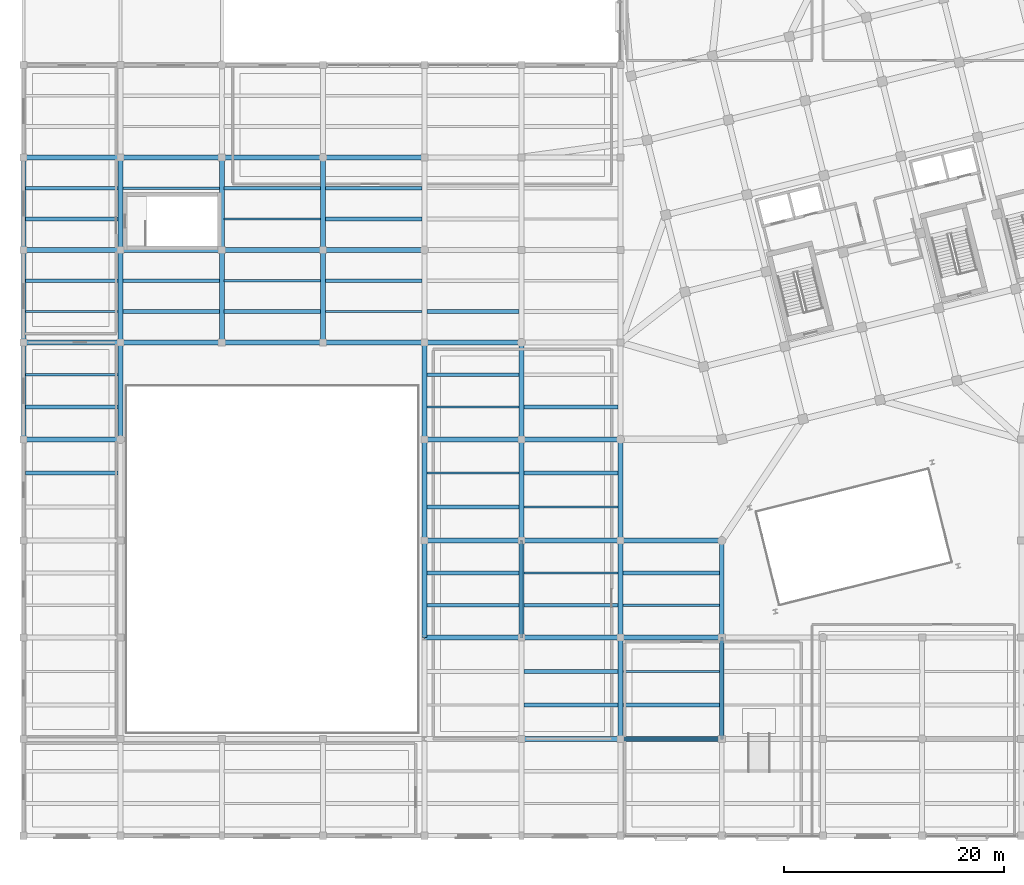
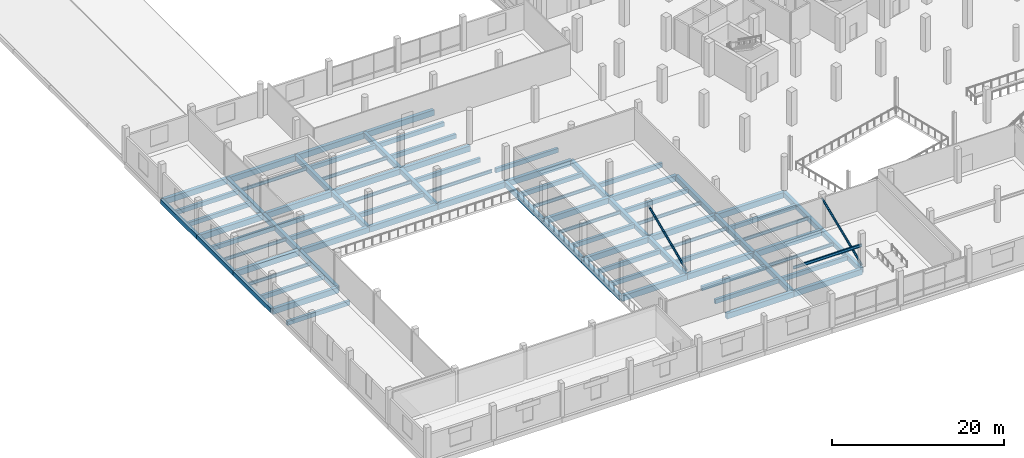
# One storey, part 12 of 71: 82 beams, 2 members.
"""IFC4 building model written with IfcOpenShell, lengths in metres."""

from ifc_helpers import new_model, si_unit, direction, frame, origin, origin_2d, place, context, subcontext, project, spatial, rectangle, hollow_circle, i_section, extrude, material, material_profile, profile_set, type_object, element, save


model = new_model("IFC4")

# Units and contexts
model_context = context("Model", 3, precision=1e-05, world=origin(), true_north=direction((0.0, 1.0)))
body_context = subcontext(model_context, "Body", "Model", "MODEL_VIEW")
ifc_project = project(units=[si_unit("LENGTHUNIT", "METRE"), si_unit("AREAUNIT", "SQUARE_METRE"), si_unit("VOLUMEUNIT", "CUBIC_METRE"), si_unit("PLANEANGLEUNIT", "RADIAN"), si_unit("MASSUNIT", "GRAM", prefix="KILO")], contexts=[model_context])

# Site, building, storey
site_placement = place(None, origin())
site = spatial("IfcSite", under=ifc_project, at=site_placement, CompositionType="ELEMENT")
building_placement = place(site_placement, origin())
building = spatial("IfcBuilding", under=site, at=building_placement, Name="Meriwether Solvik Hall", CompositionType="ELEMENT")
storey_placement = place(building_placement, frame((0.0, 0.0, 5.10009765625)))
storey = spatial("IfcBuildingStorey", under=building, at=storey_placement, Name="L01", CompositionType="ELEMENT", Elevation=5.10009765625)

# Beams
ifc_material_1 = material(Name="Concrete C40/50", Category="concrete")
ifc_material_profile_1 = material_profile(ifc_material_1, rectangle(XDim=0.35009765625, YDim=0.60009765625, at=origin_2d()), Name="RCB-350X600")
ifc_profile_set_1 = profile_set([ifc_material_profile_1], Name="Concrete C40/50")
beam_type_1 = type_object("IfcBeamType", Name="BM-RC-350X600", PredefinedType="JOIST", material=ifc_profile_set_1)
for number, where, z_axis, x_axis, name in (
    (1, (5.39501953125, 38.13330078125, -0.60009765625), (1.0, 0.0, 0.0), (0.0, 1.0, 0.0), "Secondary Floor Joist 1/D_J2 (L01)"),
    (2, (5.39501953125, 44.13330078125, -0.60009765625), (1.0, 0.0, 0.0), (0.0, 1.0, 0.0), "Secondary Floor Joist 1/E_J1 (L01)"),
    (3, (5.39501953125, 55.60009765625, -0.60009765625), (1.0, 0.0, 0.0), (0.0, 1.0, 0.0), "Secondary Floor Joist 1/F_J2 (L01)"),
    (4, (5.39501953125, 61.199951171875, -0.60009765625), (1.0, 0.0, 0.0), (0.0, 1.0, 0.0), "Secondary Floor Joist 1/G_J1 (L01)"),
    (5, (5.39501953125, 64.0, -0.60009765625), (1.0, 0.0, 0.0), (0.0, 1.0, 0.0), "Secondary Floor Joist 1/G_J2 (L01)"),
):
    element("IfcBeam", number, at=place(storey_placement, frame(where, z_axis=z_axis, x_axis=x_axis)), inside=storey, type_object=beam_type_1, Name=name, PredefinedType="JOIST", context=body_context, shape_type="SweptSolid", body=[
        extrude(rectangle(XDim=0.35009765625, YDim=0.60009765625, at=origin_2d()), origin(), (0.0, 0.0, 1.0), 8.385009765625),
    ])
for number, where, z_axis, x_axis, name in (
    (6, (14.219970703125, 52.800048828125, -0.60009765625), (1.0, 0.0, 0.0), (0.0, 1.0, 0.0), "Secondary Floor Joist 2/F_J1 (L01)"),
    (7, (14.219970703125, 55.60009765625, -0.60009765625), (1.0, 0.0, 0.0), (0.0, 1.0, 0.0), "Secondary Floor Joist 2/F_J2 (L01)"),
    (8, (23.419921875, 52.800048828125, -0.60009765625), (1.0, 0.0, 0.0), (0.0, 1.0, 0.0), "Secondary Floor Joist 3/F_J1 (L01)"),
    (9, (23.419921875, 64.0, -0.60009765625), (1.0, 0.0, 0.0), (0.0, 1.0, 0.0), "Secondary Floor Joist 3/G_J2 (L01)"),
):
    element("IfcBeam", number, at=place(storey_placement, frame(where, z_axis=z_axis, x_axis=x_axis)), inside=storey, type_object=beam_type_1, Name=name, PredefinedType="JOIST", context=body_context, shape_type="SweptSolid", body=[
        extrude(rectangle(XDim=0.35009765625, YDim=0.60009765625, at=origin_2d()), origin(), (0.0, 0.0, 1.0), 8.760009765625),
    ])
for number, where, z_axis, x_axis, name in (
    (10, (32.6201171875, 55.60009765625, -0.60009765625), (1.0, 0.0, 0.0), (0.0, 1.0, 0.0), "Secondary Floor Joist 4/F_J2 (L01)"),
    (11, (32.6201171875, 61.199951171875, -0.60009765625), (1.0, 0.0, 0.0), (0.0, 1.0, 0.0), "Secondary Floor Joist 4/G_J1 (L01)"),
    (12, (32.6201171875, 64.0, -0.60009765625), (1.0, 0.0, 0.0), (0.0, 1.0, 0.0), "Secondary Floor Joist 4/G_J2 (L01)"),
):
    element("IfcBeam", number, at=place(storey_placement, frame(where, z_axis=z_axis, x_axis=x_axis)), inside=storey, type_object=beam_type_1, Name=name, PredefinedType="JOIST", context=body_context, shape_type="SweptSolid", body=[
        extrude(rectangle(XDim=0.35009765625, YDim=0.60009765625, at=origin_2d()), origin(), (0.0, 0.0, 1.0), 8.759765625),
    ])
for number, where, z_axis, x_axis, name in (
    (13, (41.820068359375, 26.13330078125, -0.60009765625), (1.0, 0.0, 0.0), (0.0, 1.0, 0.0), "Secondary Floor Joist 5/C_J1 (L01)"),
    (14, (41.820068359375, 29.066650390625, -0.60009765625), (1.0, 0.0, 0.0), (0.0, 1.0, 0.0), "Secondary Floor Joist 5/C_J2 (L01)"),
    (15, (41.820068359375, 35.066650390625, -0.60009765625), (1.0, 0.0, 0.0), (0.0, 1.0, 0.0), "Secondary Floor Joist 5/D_J1 (L01)"),
    (16, (41.820068359375, 47.066650390625, -0.60009765625), (1.0, 0.0, 0.0), (0.0, 1.0, 0.0), "Secondary Floor Joist 5/E_J2 (L01)"),
    (17, (41.820068359375, 52.800048828125, -0.60009765625), (1.0, 0.0, 0.0), (0.0, 1.0, 0.0), "Secondary Floor Joist 5/F_J1 (L01)"),
):
    element("IfcBeam", number, at=place(storey_placement, frame(where, z_axis=z_axis, x_axis=x_axis)), inside=storey, type_object=beam_type_1, Name=name, PredefinedType="JOIST", context=body_context, shape_type="SweptSolid", body=[
        extrude(rectangle(XDim=0.35009765625, YDim=0.60009765625, at=origin_2d()), origin(), (0.0, 0.0, 1.0), 8.35986328125),
    ])
for number, where, z_axis, x_axis, name in (
    (18, (50.6201171875, 17.066650390625, -0.60009765625), (1.0, 0.0, 0.0), (0.0, 1.0, 0.0), "Secondary Floor Joist 6/B_J1 (L01)"),
    (19, (50.6201171875, 20.13330078125, -0.60009765625), (1.0, 0.0, 0.0), (0.0, 1.0, 0.0), "Secondary Floor Joist 6/B_J2 (L01)"),
    (20, (50.6201171875, 26.13330078125, -0.60009765625), (1.0, 0.0, 0.0), (0.0, 1.0, 0.0), "Secondary Floor Joist 6/C_J1 (L01)"),
    (21, (50.6201171875, 38.13330078125, -0.60009765625), (1.0, 0.0, 0.0), (0.0, 1.0, 0.0), "Secondary Floor Joist 6/D_J2 (L01)"),
    (22, (50.6201171875, 44.13330078125, -0.60009765625), (1.0, 0.0, 0.0), (0.0, 1.0, 0.0), "Secondary Floor Joist 6/E_J1 (L01)"),
):
    element("IfcBeam", number, at=place(storey_placement, frame(where, z_axis=z_axis, x_axis=x_axis)), inside=storey, type_object=beam_type_1, Name=name, PredefinedType="JOIST", context=body_context, shape_type="SweptSolid", body=[
        extrude(rectangle(XDim=0.35009765625, YDim=0.60009765625, at=origin_2d()), origin(), (0.0, 0.0, 1.0), 8.559814453125),
    ])
for number, where, z_axis, x_axis, name in (
    (23, (59.6201171875, 17.066650390625, -0.60009765625), (1.0, 0.0, 0.0), (0.0, 1.0, 0.0), "Secondary Floor Joist 7/B_J1 (L01)"),
    (24, (59.6201171875, 29.066650390625, -0.60009765625), (1.0, 0.0, 0.0), (0.0, 1.0, 0.0), "Secondary Floor Joist 7/C_J2 (L01)"),
):
    element("IfcBeam", number, at=place(storey_placement, frame(where, z_axis=z_axis, x_axis=x_axis)), inside=storey, type_object=beam_type_1, Name=name, PredefinedType="JOIST", context=body_context, shape_type="SweptSolid", body=[
        extrude(rectangle(XDim=0.35009765625, YDim=0.60009765625, at=origin_2d()), origin(), (0.0, 0.0, 1.0), 8.759765625),
    ])
ifc_material_2 = material(Name="Concrete C40/50", Category="concrete")
ifc_material_profile_2 = material_profile(ifc_material_2, rectangle(XDim=0.39990234375, YDim=0.64990234375, at=origin_2d()), Name="RCB-400X650")
ifc_profile_set_2 = profile_set([ifc_material_profile_2], Name="Concrete C40/50")
beam_type_2 = type_object("IfcBeamType", Name="BM-RC-400X650", PredefinedType="SPANDREL", material=ifc_profile_set_2)
beam_1_placement = place(storey_placement, frame((5.199951171875, 41.199951171875, -0.625), z_axis=(0.0, 1.0, 0.0), x_axis=(-1.0, 0.0, 0.0)))
element("IfcBeam", 25, at=beam_1_placement, inside=storey, type_object=beam_type_2, Name="Podium Girder 1:E-F (L01)", PredefinedType="SPANDREL", context=body_context, shape_type="SweptSolid", body=[
    extrude(rectangle(XDim=0.39990234375, YDim=0.64990234375, at=origin_2d()), origin(), (0.0, 0.0, 1.0), 8.800048828125),
])
beam_2_placement = place(storey_placement, frame((5.199951171875, 50.0, -0.625), z_axis=(0.0, 1.0, 0.0), x_axis=(-1.0, 0.0, 0.0)))
element("IfcBeam", 26, at=beam_2_placement, inside=storey, type_object=beam_type_2, Name="Podium Girder 1:F-G (L01)", PredefinedType="SPANDREL", context=body_context, shape_type="SweptSolid", body=[
    extrude(rectangle(XDim=0.39990234375, YDim=0.64990234375, at=origin_2d()), origin(), (0.0, 0.0, 1.0), 8.39990234375),
])
beam_3_placement = place(storey_placement, frame((5.199951171875, 58.39990234375, -0.625), z_axis=(0.0, 1.0, 0.0), x_axis=(-1.0, 0.0, 0.0)))
element("IfcBeam", 27, at=beam_3_placement, inside=storey, type_object=beam_type_2, Name="Podium Girder 1:G-H (L01)", PredefinedType="SPANDREL", context=body_context, shape_type="SweptSolid", body=[
    extrude(rectangle(XDim=0.39990234375, YDim=0.64990234375, at=origin_2d()), origin(), (0.0, 0.0, 1.0), 8.400146484375),
])
ifc_material_3 = material(Name="Concrete C40/50", Category="concrete")
ifc_material_profile_3 = material_profile(ifc_material_3, rectangle(XDim=0.449951171875, YDim=0.699951171875, at=origin_2d()), Name="RCB-450X700")
ifc_profile_set_3 = profile_set([ifc_material_profile_3], Name="Concrete C40/50")
beam_type_3 = type_object("IfcBeamType", Name="BM-RC-450X700", PredefinedType="BEAM", material=ifc_profile_set_3)
beam_4_placement = place(storey_placement, frame((14.0, 41.199951171875, -0.650146484375), z_axis=(0.0, 1.0, 0.0), x_axis=(-1.0, 0.0, 0.0)))
element("IfcBeam", 28, at=beam_4_placement, inside=storey, type_object=beam_type_3, Name="Podium Girder 2:E-F (L01)", PredefinedType="BEAM", context=body_context, shape_type="SweptSolid", body=[
    extrude(rectangle(XDim=0.449951171875, YDim=0.699951171875, at=origin_2d()), origin(), (0.0, 0.0, 1.0), 8.800048828125),
])
beam_5_placement = place(storey_placement, frame((14.0, 50.0, -0.650146484375), z_axis=(0.0, 1.0, 0.0), x_axis=(-1.0, 0.0, 0.0)))
element("IfcBeam", 29, at=beam_5_placement, inside=storey, type_object=beam_type_3, Name="Podium Girder 2:F-G (L01)", PredefinedType="BEAM", context=body_context, shape_type="SweptSolid", body=[
    extrude(rectangle(XDim=0.449951171875, YDim=0.699951171875, at=origin_2d()), origin(), (0.0, 0.0, 1.0), 8.39990234375),
])
beam_6_placement = place(storey_placement, frame((14.0, 58.39990234375, -0.650146484375), z_axis=(0.0, 1.0, 0.0), x_axis=(-1.0, 0.0, 0.0)))
element("IfcBeam", 30, at=beam_6_placement, inside=storey, type_object=beam_type_3, Name="Podium Girder 2:G-H (L01)", PredefinedType="BEAM", context=body_context, shape_type="SweptSolid", body=[
    extrude(rectangle(XDim=0.449951171875, YDim=0.699951171875, at=origin_2d()), origin(), (0.0, 0.0, 1.0), 8.400146484375),
])
beam_7_placement = place(storey_placement, frame((23.199951171875, 50.0, -0.650146484375), z_axis=(0.0, 1.0, 0.0), x_axis=(-1.0, 0.0, 0.0)))
element("IfcBeam", 31, at=beam_7_placement, inside=storey, type_object=beam_type_3, Name="Podium Girder 3:F-G (L01)", PredefinedType="BEAM", context=body_context, shape_type="SweptSolid", body=[
    extrude(rectangle(XDim=0.449951171875, YDim=0.699951171875, at=origin_2d()), origin(), (0.0, 0.0, 1.0), 8.39990234375),
])
beam_8_placement = place(storey_placement, frame((23.199951171875, 58.39990234375, -0.650146484375), z_axis=(0.0, 1.0, 0.0), x_axis=(-1.0, 0.0, 0.0)))
element("IfcBeam", 32, at=beam_8_placement, inside=storey, type_object=beam_type_3, Name="Podium Girder 3:G-H (L01)", PredefinedType="BEAM", context=body_context, shape_type="SweptSolid", body=[
    extrude(rectangle(XDim=0.449951171875, YDim=0.699951171875, at=origin_2d()), origin(), (0.0, 0.0, 1.0), 8.400146484375),
])
beam_9_placement = place(storey_placement, frame((32.39990234375, 50.0, -0.650146484375), z_axis=(0.0, 1.0, 0.0), x_axis=(-1.0, 0.0, 0.0)))
element("IfcBeam", 33, at=beam_9_placement, inside=storey, type_object=beam_type_3, Name="Podium Girder 4:F-G (L01)", PredefinedType="BEAM", context=body_context, shape_type="SweptSolid", body=[
    extrude(rectangle(XDim=0.449951171875, YDim=0.699951171875, at=origin_2d()), origin(), (0.0, 0.0, 1.0), 8.39990234375),
])
beam_10_placement = place(storey_placement, frame((32.39990234375, 58.39990234375, -0.650146484375), z_axis=(0.0, 1.0, 0.0), x_axis=(-1.0, 0.0, 0.0)))
element("IfcBeam", 34, at=beam_10_placement, inside=storey, type_object=beam_type_3, Name="Podium Girder 4:G-H (L01)", PredefinedType="BEAM", context=body_context, shape_type="SweptSolid", body=[
    extrude(rectangle(XDim=0.449951171875, YDim=0.699951171875, at=origin_2d()), origin(), (0.0, 0.0, 1.0), 8.400146484375),
])
beam_11_placement = place(storey_placement, frame((41.60009765625, 23.199951171875, -0.650146484375), z_axis=(0.0, 1.0, 0.0), x_axis=(-1.0, 0.0, 0.0)))
element("IfcBeam", 35, at=beam_11_placement, inside=storey, type_object=beam_type_3, Name="Podium Girder 5:C-D (L01)", PredefinedType="BEAM", context=body_context, shape_type="SweptSolid", body=[
    extrude(rectangle(XDim=0.449951171875, YDim=0.699951171875, at=origin_2d()), origin(), (0.0, 0.0, 1.0), 8.800048828125),
])
beam_12_placement = place(storey_placement, frame((41.60009765625, 32.0, -0.650146484375), z_axis=(0.0, 1.0, 0.0), x_axis=(-1.0, 0.0, 0.0)))
element("IfcBeam", 36, at=beam_12_placement, inside=storey, type_object=beam_type_3, Name="Podium Girder 5:D-E (L01)", PredefinedType="BEAM", context=body_context, shape_type="SweptSolid", body=[
    extrude(rectangle(XDim=0.449951171875, YDim=0.699951171875, at=origin_2d()), origin(), (0.0, 0.0, 1.0), 9.199951171875),
])
for number, where, z_axis, x_axis, name in (
    (37, (41.60009765625, 41.199951171875, -0.650146484375), (0.0, 1.0, 0.0), (-1.0, 0.0, 0.0), "Podium Girder 5:E-F (L01)"),
    (38, (50.39990234375, 23.199951171875, -0.650146484375), (0.0, 1.0, 0.0), (-1.0, 0.0, 0.0), "Podium Girder 6:C-D (L01)"),
):
    element("IfcBeam", number, at=place(storey_placement, frame(where, z_axis=z_axis, x_axis=x_axis)), inside=storey, type_object=beam_type_3, Name=name, PredefinedType="BEAM", context=body_context, shape_type="SweptSolid", body=[
        extrude(rectangle(XDim=0.449951171875, YDim=0.699951171875, at=origin_2d()), origin(), (0.0, 0.0, 1.0), 8.800048828125),
    ])
beam_13_placement = place(storey_placement, frame((50.39990234375, 32.0, -0.650146484375), z_axis=(0.0, 1.0, 0.0), x_axis=(-1.0, 0.0, 0.0)))
element("IfcBeam", 39, at=beam_13_placement, inside=storey, type_object=beam_type_3, Name="Podium Girder 6:D-E (L01)", PredefinedType="BEAM", context=body_context, shape_type="SweptSolid", body=[
    extrude(rectangle(XDim=0.449951171875, YDim=0.699951171875, at=origin_2d()), origin(), (0.0, 0.0, 1.0), 9.199951171875),
])
beam_14_placement = place(storey_placement, frame((50.39990234375, 41.199951171875, -0.650146484375), z_axis=(0.0, 1.0, 0.0), x_axis=(-1.0, 0.0, 0.0)))
element("IfcBeam", 40, at=beam_14_placement, inside=storey, type_object=beam_type_3, Name="Podium Girder 6:E-F (L01)", PredefinedType="BEAM", context=body_context, shape_type="SweptSolid", body=[
    extrude(rectangle(XDim=0.449951171875, YDim=0.699951171875, at=origin_2d()), origin(), (0.0, 0.0, 1.0), 8.800048828125),
])
beam_15_placement = place(storey_placement, frame((59.39990234375, 14.0, -0.650146484375), z_axis=(0.0, 1.0, 0.0), x_axis=(-1.0, 0.0, 0.0)))
element("IfcBeam", 41, at=beam_15_placement, inside=storey, type_object=beam_type_3, Name="Podium Girder 7:B-C (L01)", PredefinedType="BEAM", context=body_context, shape_type="SweptSolid", body=[
    extrude(rectangle(XDim=0.449951171875, YDim=0.699951171875, at=origin_2d()), origin(), (0.0, 0.0, 1.0), 9.199951171875),
])
beam_16_placement = place(storey_placement, frame((59.39990234375, 23.199951171875, -0.650146484375), z_axis=(0.0, 1.0, 0.0), x_axis=(-1.0, 0.0, 0.0)))
element("IfcBeam", 42, at=beam_16_placement, inside=storey, type_object=beam_type_3, Name="Podium Girder 7:C-D (L01)", PredefinedType="BEAM", context=body_context, shape_type="SweptSolid", body=[
    extrude(rectangle(XDim=0.449951171875, YDim=0.699951171875, at=origin_2d()), origin(), (0.0, 0.0, 1.0), 8.800048828125),
])
for number, where, z_axis, x_axis, name in (
    (43, (59.39990234375, 32.0, -0.650146484375), (0.0, 1.0, 0.0), (-1.0, 0.0, 0.0), "Podium Girder 7:D-E (L01)"),
    (44, (68.60009765625, 14.0, -0.650146484375), (0.0, 1.0, 0.0), (-1.0, 0.0, 0.0), "Podium Girder 8:B-C (L01)"),
):
    element("IfcBeam", number, at=place(storey_placement, frame(where, z_axis=z_axis, x_axis=x_axis)), inside=storey, type_object=beam_type_3, Name=name, PredefinedType="BEAM", context=body_context, shape_type="SweptSolid", body=[
        extrude(rectangle(XDim=0.449951171875, YDim=0.699951171875, at=origin_2d()), origin(), (0.0, 0.0, 1.0), 9.199951171875),
    ])
beam_17_placement = place(storey_placement, frame((68.60009765625, 23.199951171875, -0.650146484375), z_axis=(0.0, 1.0, 0.0), x_axis=(-1.0, 0.0, 0.0)))
element("IfcBeam", 45, at=beam_17_placement, inside=storey, type_object=beam_type_3, Name="Podium Girder 8:C-D (L01)", PredefinedType="BEAM", context=body_context, shape_type="SweptSolid", body=[
    extrude(rectangle(XDim=0.449951171875, YDim=0.699951171875, at=origin_2d()), origin(), (0.0, 0.0, 1.0), 8.800048828125),
])
ifc_material_4 = material(Name="Concrete C40/50", Category="concrete")
ifc_material_profile_4 = material_profile(ifc_material_4, rectangle(XDim=0.449951171875, YDim=0.800048828125, at=origin_2d()), Name="RCB-450X800")
ifc_profile_set_4 = profile_set([ifc_material_profile_4], Name="Concrete C40/50")
beam_type_4 = type_object("IfcBeamType", Name="BM-RC-450X800", PredefinedType="BEAM", material=ifc_profile_set_4)
beam_18_placement = place(storey_placement, frame((50.39990234375, 14.0, -0.7001953125), z_axis=(1.0, 0.0, 0.0), x_axis=(0.0, 1.0, 0.0)))
element("IfcBeam", 46, at=beam_18_placement, inside=storey, type_object=beam_type_4, Name="Podium Girder B:6-7 (L01)", PredefinedType="BEAM", context=body_context, shape_type="SweptSolid", body=[
    extrude(rectangle(XDim=0.449951171875, YDim=0.800048828125, at=origin_2d()), origin(), (0.0, 0.0, 1.0), 9.0),
])
beam_19_placement = place(storey_placement, frame((59.39990234375, 14.0, -0.7001953125), z_axis=(1.0, 0.0, 0.0), x_axis=(0.0, 1.0, 0.0)))
element("IfcBeam", 47, at=beam_19_placement, inside=storey, type_object=beam_type_4, Name="Podium Girder B:7-8 (L01)", PredefinedType="BEAM", context=body_context, shape_type="SweptSolid", body=[
    extrude(rectangle(XDim=0.449951171875, YDim=0.800048828125, at=origin_2d()), origin(), (0.0, 0.0, 1.0), 9.2001953125),
])
beam_20_placement = place(storey_placement, frame((41.60009765625, 23.199951171875, -0.7001953125), z_axis=(1.0, 0.0, 0.0), x_axis=(0.0, 1.0, 0.0)))
element("IfcBeam", 48, at=beam_20_placement, inside=storey, type_object=beam_type_4, Name="Podium Girder C:5-6 (L01)", PredefinedType="BEAM", context=body_context, shape_type="SweptSolid", body=[
    extrude(rectangle(XDim=0.449951171875, YDim=0.800048828125, at=origin_2d()), origin(), (0.0, 0.0, 1.0), 8.7998046875),
])
beam_21_placement = place(storey_placement, frame((50.39990234375, 23.199951171875, -0.7001953125), z_axis=(1.0, 0.0, 0.0), x_axis=(0.0, 1.0, 0.0)))
element("IfcBeam", 49, at=beam_21_placement, inside=storey, type_object=beam_type_4, Name="Podium Girder C:6-7 (L01)", PredefinedType="BEAM", context=body_context, shape_type="SweptSolid", body=[
    extrude(rectangle(XDim=0.449951171875, YDim=0.800048828125, at=origin_2d()), origin(), (0.0, 0.0, 1.0), 9.0),
])
beam_22_placement = place(storey_placement, frame((59.39990234375, 23.199951171875, -0.7001953125), z_axis=(1.0, 0.0, 0.0), x_axis=(0.0, 1.0, 0.0)))
element("IfcBeam", 50, at=beam_22_placement, inside=storey, type_object=beam_type_4, Name="Podium Girder C:7-8 (L01)", PredefinedType="BEAM", context=body_context, shape_type="SweptSolid", body=[
    extrude(rectangle(XDim=0.449951171875, YDim=0.800048828125, at=origin_2d()), origin(), (0.0, 0.0, 1.0), 9.2001953125),
])
beam_23_placement = place(storey_placement, frame((41.60009765625, 32.0, -0.7001953125), z_axis=(1.0, 0.0, 0.0), x_axis=(0.0, 1.0, 0.0)))
element("IfcBeam", 51, at=beam_23_placement, inside=storey, type_object=beam_type_4, Name="Podium Girder D:5-6 (L01)", PredefinedType="BEAM", context=body_context, shape_type="SweptSolid", body=[
    extrude(rectangle(XDim=0.449951171875, YDim=0.800048828125, at=origin_2d()), origin(), (0.0, 0.0, 1.0), 8.7998046875),
])
beam_24_placement = place(storey_placement, frame((50.39990234375, 32.0, -0.7001953125), z_axis=(1.0, 0.0, 0.0), x_axis=(0.0, 1.0, 0.0)))
element("IfcBeam", 52, at=beam_24_placement, inside=storey, type_object=beam_type_4, Name="Podium Girder D:6-7 (L01)", PredefinedType="BEAM", context=body_context, shape_type="SweptSolid", body=[
    extrude(rectangle(XDim=0.449951171875, YDim=0.800048828125, at=origin_2d()), origin(), (0.0, 0.0, 1.0), 9.0),
])
beam_25_placement = place(storey_placement, frame((59.39990234375, 32.0, -0.7001953125), z_axis=(1.0, 0.0, 0.0), x_axis=(0.0, 1.0, 0.0)))
element("IfcBeam", 53, at=beam_25_placement, inside=storey, type_object=beam_type_4, Name="Podium Girder D:7-8 (L01)", PredefinedType="BEAM", context=body_context, shape_type="SweptSolid", body=[
    extrude(rectangle(XDim=0.449951171875, YDim=0.800048828125, at=origin_2d()), origin(), (0.0, 0.0, 1.0), 9.2001953125),
])
beam_26_placement = place(storey_placement, frame((5.199951171875, 41.199951171875, -0.7001953125), z_axis=(1.0, 0.0, 0.0), x_axis=(0.0, 1.0, 0.0)))
element("IfcBeam", 54, at=beam_26_placement, inside=storey, type_object=beam_type_4, Name="Podium Girder E:1-2 (L01)", PredefinedType="BEAM", context=body_context, shape_type="SweptSolid", body=[
    extrude(rectangle(XDim=0.449951171875, YDim=0.800048828125, at=origin_2d()), origin(), (0.0, 0.0, 1.0), 8.800048828125),
])
beam_27_placement = place(storey_placement, frame((41.60009765625, 41.199951171875, -0.7001953125), z_axis=(1.0, 0.0, 0.0), x_axis=(0.0, 1.0, 0.0)))
element("IfcBeam", 55, at=beam_27_placement, inside=storey, type_object=beam_type_4, Name="Podium Girder E:5-6 (L01)", PredefinedType="BEAM", context=body_context, shape_type="SweptSolid", body=[
    extrude(rectangle(XDim=0.449951171875, YDim=0.800048828125, at=origin_2d()), origin(), (0.0, 0.0, 1.0), 8.7998046875),
])
beam_28_placement = place(storey_placement, frame((50.39990234375, 41.199951171875, -0.7001953125), z_axis=(1.0, 0.0, 0.0), x_axis=(0.0, 1.0, 0.0)))
element("IfcBeam", 56, at=beam_28_placement, inside=storey, type_object=beam_type_4, Name="Podium Girder E:6-7 (L01)", PredefinedType="BEAM", context=body_context, shape_type="SweptSolid", body=[
    extrude(rectangle(XDim=0.449951171875, YDim=0.800048828125, at=origin_2d()), origin(), (0.0, 0.0, 1.0), 9.0),
])
beam_29_placement = place(storey_placement, frame((5.199951171875, 50.0, -0.7001953125), z_axis=(1.0, 0.0, 0.0), x_axis=(0.0, 1.0, 0.0)))
element("IfcBeam", 57, at=beam_29_placement, inside=storey, type_object=beam_type_4, Name="Podium Girder F:1-2 (L01)", PredefinedType="BEAM", context=body_context, shape_type="SweptSolid", body=[
    extrude(rectangle(XDim=0.449951171875, YDim=0.800048828125, at=origin_2d()), origin(), (0.0, 0.0, 1.0), 8.800048828125),
])
for number, where, z_axis, x_axis, name in (
    (58, (14.0, 50.0, -0.7001953125), (1.0, 0.0, 0.0), (0.0, 1.0, 0.0), "Podium Girder F:2-3 (L01)"),
    (59, (23.199951171875, 50.0, -0.7001953125), (1.0, 0.0, 0.0), (0.0, 1.0, 0.0), "Podium Girder F:3-4 (L01)"),
):
    element("IfcBeam", number, at=place(storey_placement, frame(where, z_axis=z_axis, x_axis=x_axis)), inside=storey, type_object=beam_type_4, Name=name, PredefinedType="BEAM", context=body_context, shape_type="SweptSolid", body=[
        extrude(rectangle(XDim=0.449951171875, YDim=0.800048828125, at=origin_2d()), origin(), (0.0, 0.0, 1.0), 9.199951171875),
    ])
beam_30_placement = place(storey_placement, frame((32.39990234375, 50.0, -0.7001953125), z_axis=(1.0, 0.0, 0.0), x_axis=(0.0, 1.0, 0.0)))
element("IfcBeam", 60, at=beam_30_placement, inside=storey, type_object=beam_type_4, Name="Podium Girder F:4-5 (L01)", PredefinedType="BEAM", context=body_context, shape_type="SweptSolid", body=[
    extrude(rectangle(XDim=0.449951171875, YDim=0.800048828125, at=origin_2d()), origin(), (0.0, 0.0, 1.0), 9.2001953125),
])
beam_31_placement = place(storey_placement, frame((41.60009765625, 50.0, -0.7001953125), z_axis=(1.0, 0.0, 0.0), x_axis=(0.0, 1.0, 0.0)))
element("IfcBeam", 61, at=beam_31_placement, inside=storey, type_object=beam_type_4, Name="Podium Girder F:5-6 (L01)", PredefinedType="BEAM", context=body_context, shape_type="SweptSolid", body=[
    extrude(rectangle(XDim=0.449951171875, YDim=0.800048828125, at=origin_2d()), origin(), (0.0, 0.0, 1.0), 8.7998046875),
])
beam_32_placement = place(storey_placement, frame((5.199951171875, 58.39990234375, -0.7001953125), z_axis=(1.0, 0.0, 0.0), x_axis=(0.0, 1.0, 0.0)))
element("IfcBeam", 62, at=beam_32_placement, inside=storey, type_object=beam_type_4, Name="Podium Girder G:1-2 (L01)", PredefinedType="BEAM", context=body_context, shape_type="SweptSolid", body=[
    extrude(rectangle(XDim=0.449951171875, YDim=0.800048828125, at=origin_2d()), origin(), (0.0, 0.0, 1.0), 8.800048828125),
])
for number, where, z_axis, x_axis, name in (
    (63, (14.0, 58.39990234375, -0.7001953125), (1.0, 0.0, 0.0), (0.0, 1.0, 0.0), "Podium Girder G:2-3 (L01)"),
    (64, (23.199951171875, 58.39990234375, -0.7001953125), (1.0, 0.0, 0.0), (0.0, 1.0, 0.0), "Podium Girder G:3-4 (L01)"),
):
    element("IfcBeam", number, at=place(storey_placement, frame(where, z_axis=z_axis, x_axis=x_axis)), inside=storey, type_object=beam_type_4, Name=name, PredefinedType="BEAM", context=body_context, shape_type="SweptSolid", body=[
        extrude(rectangle(XDim=0.449951171875, YDim=0.800048828125, at=origin_2d()), origin(), (0.0, 0.0, 1.0), 9.199951171875),
    ])
beam_33_placement = place(storey_placement, frame((32.39990234375, 58.39990234375, -0.7001953125), z_axis=(1.0, 0.0, 0.0), x_axis=(0.0, 1.0, 0.0)))
element("IfcBeam", 65, at=beam_33_placement, inside=storey, type_object=beam_type_4, Name="Podium Girder G:4-5 (L01)", PredefinedType="BEAM", context=body_context, shape_type="SweptSolid", body=[
    extrude(rectangle(XDim=0.449951171875, YDim=0.800048828125, at=origin_2d()), origin(), (0.0, 0.0, 1.0), 9.2001953125),
])
beam_34_placement = place(storey_placement, frame((5.199951171875, 66.800048828125, -0.7001953125), z_axis=(1.0, 0.0, 0.0), x_axis=(0.0, 1.0, 0.0)))
element("IfcBeam", 66, at=beam_34_placement, inside=storey, type_object=beam_type_4, Name="Podium Girder H:1-2 (L01)", PredefinedType="BEAM", context=body_context, shape_type="SweptSolid", body=[
    extrude(rectangle(XDim=0.449951171875, YDim=0.800048828125, at=origin_2d()), origin(), (0.0, 0.0, 1.0), 8.800048828125),
])
for number, where, z_axis, x_axis, name in (
    (67, (14.0, 66.800048828125, -0.7001953125), (1.0, 0.0, 0.0), (0.0, 1.0, 0.0), "Podium Girder H:2-3 (L01)"),
    (68, (23.199951171875, 66.800048828125, -0.7001953125), (1.0, 0.0, 0.0), (0.0, 1.0, 0.0), "Podium Girder H:3-4 (L01)"),
):
    element("IfcBeam", number, at=place(storey_placement, frame(where, z_axis=z_axis, x_axis=x_axis)), inside=storey, type_object=beam_type_4, Name=name, PredefinedType="BEAM", context=body_context, shape_type="SweptSolid", body=[
        extrude(rectangle(XDim=0.449951171875, YDim=0.800048828125, at=origin_2d()), origin(), (0.0, 0.0, 1.0), 9.199951171875),
    ])
beam_35_placement = place(storey_placement, frame((32.39990234375, 66.800048828125, -0.7001953125), z_axis=(1.0, 0.0, 0.0), x_axis=(0.0, 1.0, 0.0)))
element("IfcBeam", 69, at=beam_35_placement, inside=storey, type_object=beam_type_4, Name="Podium Girder H:4-5 (L01)", PredefinedType="BEAM", context=body_context, shape_type="SweptSolid", body=[
    extrude(rectangle(XDim=0.449951171875, YDim=0.800048828125, at=origin_2d()), origin(), (0.0, 0.0, 1.0), 9.2001953125),
])
ifc_material_5 = material(Name="Steel A992 Grade 50", Category="steel")
ifc_material_profile_5 = material_profile(ifc_material_5, i_section(OverallWidth=0.177978515625, OverallDepth=0.406982421875, WebThickness=0.0078125, FlangeThickness=0.0126953125, at=origin_2d()), Name="W16X40")
ifc_profile_set_5 = profile_set([ifc_material_profile_5], Name="Steel A992 Grade 50")
beam_type_5 = type_object("IfcBeamType", Name="BM-STL-W16X40", PredefinedType="LINTEL", material=ifc_profile_set_5)
beam_36_placement = place(storey_placement, frame((59.39990234375, 14.0, 2.9462890625), z_axis=(1.0, 0.0, 0.0), x_axis=(0.0, 1.0, 0.0)))
element("IfcBeam", 70, at=beam_36_placement, inside=storey, type_object=beam_type_5, Name="Galleria Portal Lintel B:7-8 (L01)", PredefinedType="LINTEL", context=body_context, shape_type="SweptSolid", body=[
    extrude(i_section(OverallWidth=0.177978515625, OverallDepth=0.406982421875, WebThickness=0.0078125, FlangeThickness=0.0126953125, at=origin_2d()), origin(), (0.0, 0.0, 1.0), 9.2001953125),
])
ifc_material_6 = material(Name="Steel A992 Grade 50", Category="steel")
ifc_material_profile_6 = material_profile(ifc_material_6, i_section(OverallWidth=0.19091796875, OverallDepth=0.45703125, WebThickness=0.009033203125, FlangeThickness=0.014404296875, at=origin_2d()), Name="W18X50")
ifc_profile_set_6 = profile_set([ifc_material_profile_6], Name="Steel A992 Grade 50")
beam_type_6 = type_object("IfcBeamType", Name="BM-STL-W18X50", PredefinedType="JOIST", material=ifc_profile_set_6)
for number, where, z_axis, x_axis, name in (
    (71, (5.39501953125, 47.066650390625, -0.528564453125), (1.0, 0.0, 0.0), (0.0, 1.0, 0.0), "Secondary Floor Joist 1/E_J2 (L01)"),
    (72, (5.39501953125, 52.800048828125, -0.528564453125), (1.0, 0.0, 0.0), (0.0, 1.0, 0.0), "Secondary Floor Joist 1/F_J1 (L01)"),
):
    element("IfcBeam", number, at=place(storey_placement, frame(where, z_axis=z_axis, x_axis=x_axis)), inside=storey, type_object=beam_type_6, Name=name, PredefinedType="JOIST", context=body_context, shape_type="SweptSolid", body=[
        extrude(i_section(OverallWidth=0.19091796875, OverallDepth=0.45703125, WebThickness=0.009033203125, FlangeThickness=0.014404296875, at=origin_2d()), origin(), (0.0, 0.0, 1.0), 8.385009765625),
    ])
for number, where, z_axis, x_axis, name in (
    (73, (14.219970703125, 64.0, -0.528564453125), (1.0, 0.0, 0.0), (0.0, 1.0, 0.0), "Secondary Floor Joist 2/G_J2 (L01)"),
    (74, (23.419921875, 55.60009765625, -0.528564453125), (1.0, 0.0, 0.0), (0.0, 1.0, 0.0), "Secondary Floor Joist 3/F_J2 (L01)"),
    (75, (23.419921875, 61.199951171875, -0.528564453125), (1.0, 0.0, 0.0), (0.0, 1.0, 0.0), "Secondary Floor Joist 3/G_J1 (L01)"),
):
    element("IfcBeam", number, at=place(storey_placement, frame(where, z_axis=z_axis, x_axis=x_axis)), inside=storey, type_object=beam_type_6, Name=name, PredefinedType="JOIST", context=body_context, shape_type="SweptSolid", body=[
        extrude(i_section(OverallWidth=0.19091796875, OverallDepth=0.45703125, WebThickness=0.009033203125, FlangeThickness=0.014404296875, at=origin_2d()), origin(), (0.0, 0.0, 1.0), 8.760009765625),
    ])
beam_37_placement = place(storey_placement, frame((32.6201171875, 52.800048828125, -0.528564453125), z_axis=(1.0, 0.0, 0.0), x_axis=(0.0, 1.0, 0.0)))
element("IfcBeam", 76, at=beam_37_placement, inside=storey, type_object=beam_type_6, Name="Secondary Floor Joist 4/F_J1 (L01)", PredefinedType="JOIST", context=body_context, shape_type="SweptSolid", body=[
    extrude(i_section(OverallWidth=0.19091796875, OverallDepth=0.45703125, WebThickness=0.009033203125, FlangeThickness=0.014404296875, at=origin_2d()), origin(), (0.0, 0.0, 1.0), 8.759765625),
])
for number, where, z_axis, x_axis, name in (
    (77, (41.820068359375, 38.13330078125, -0.528564453125), (1.0, 0.0, 0.0), (0.0, 1.0, 0.0), "Secondary Floor Joist 5/D_J2 (L01)"),
    (78, (41.820068359375, 44.13330078125, -0.528564453125), (1.0, 0.0, 0.0), (0.0, 1.0, 0.0), "Secondary Floor Joist 5/E_J1 (L01)"),
):
    element("IfcBeam", number, at=place(storey_placement, frame(where, z_axis=z_axis, x_axis=x_axis)), inside=storey, type_object=beam_type_6, Name=name, PredefinedType="JOIST", context=body_context, shape_type="SweptSolid", body=[
        extrude(i_section(OverallWidth=0.19091796875, OverallDepth=0.45703125, WebThickness=0.009033203125, FlangeThickness=0.014404296875, at=origin_2d()), origin(), (0.0, 0.0, 1.0), 8.35986328125),
    ])
for number, where, z_axis, x_axis, name in (
    (79, (50.6201171875, 29.066650390625, -0.528564453125), (1.0, 0.0, 0.0), (0.0, 1.0, 0.0), "Secondary Floor Joist 6/C_J2 (L01)"),
    (80, (50.6201171875, 35.066650390625, -0.528564453125), (1.0, 0.0, 0.0), (0.0, 1.0, 0.0), "Secondary Floor Joist 6/D_J1 (L01)"),
):
    element("IfcBeam", number, at=place(storey_placement, frame(where, z_axis=z_axis, x_axis=x_axis)), inside=storey, type_object=beam_type_6, Name=name, PredefinedType="JOIST", context=body_context, shape_type="SweptSolid", body=[
        extrude(i_section(OverallWidth=0.19091796875, OverallDepth=0.45703125, WebThickness=0.009033203125, FlangeThickness=0.014404296875, at=origin_2d()), origin(), (0.0, 0.0, 1.0), 8.559814453125),
    ])
for number, where, z_axis, x_axis, name in (
    (81, (59.6201171875, 20.13330078125, -0.528564453125), (1.0, 0.0, 0.0), (0.0, 1.0, 0.0), "Secondary Floor Joist 7/B_J2 (L01)"),
    (82, (59.6201171875, 26.13330078125, -0.528564453125), (1.0, 0.0, 0.0), (0.0, 1.0, 0.0), "Secondary Floor Joist 7/C_J1 (L01)"),
):
    element("IfcBeam", number, at=place(storey_placement, frame(where, z_axis=z_axis, x_axis=x_axis)), inside=storey, type_object=beam_type_6, Name=name, PredefinedType="JOIST", context=body_context, shape_type="SweptSolid", body=[
        extrude(i_section(OverallWidth=0.19091796875, OverallDepth=0.45703125, WebThickness=0.009033203125, FlangeThickness=0.014404296875, at=origin_2d()), origin(), (0.0, 0.0, 1.0), 8.759765625),
    ])

# Members
ifc_material_7 = material(Name="Steel A500 Grade C", Category="steel")
ifc_material_profile_7 = material_profile(ifc_material_7, hollow_circle(Radius=0.136474609375, WallThickness=0.0126953125, at=origin_2d()), Name="CHS273X12.7")
ifc_profile_set_7 = profile_set([ifc_material_profile_7], Name="Steel A500 Grade C")
member_type = type_object("IfcMemberType", Name="MEM-BR-CHS273", PredefinedType="BRACE", material=ifc_profile_set_7)
member_1_placement = place(storey_placement, frame((50.39990234375, 23.199951171875, 0.14990234375), z_axis=(0.0, 0.917300115442, 0.398196557257), x_axis=(-1.0, 0.0, 0.0)))
element("IfcMember", 83, at=member_1_placement, inside=storey, type_object=member_type, Name="Podium Diagonal Brace L01-PB1", PredefinedType="BRACE", context=body_context, shape_type="SweptSolid", body=[
    extrude(hollow_circle(Radius=0.136474609375, WallThickness=0.0126953125, at=origin_2d()), origin(), (0.0, 0.0, 1.0), 9.593505859375),
])
member_2_placement = place(storey_placement, frame((68.60009765625, 14.0, 0.14990234375), z_axis=(0.0, 0.923548267455, 0.383482199954), x_axis=(-1.0, 0.0, 0.0)))
element("IfcMember", 84, at=member_2_placement, inside=storey, type_object=member_type, Name="Podium Diagonal Brace L01-PB2", PredefinedType="BRACE", context=body_context, shape_type="SweptSolid", body=[
    extrude(hollow_circle(Radius=0.136474609375, WallThickness=0.0126953125, at=origin_2d()), origin(), (0.0, 0.0, 1.0), 9.96142578125),
])

save(model, "model.ifc")
